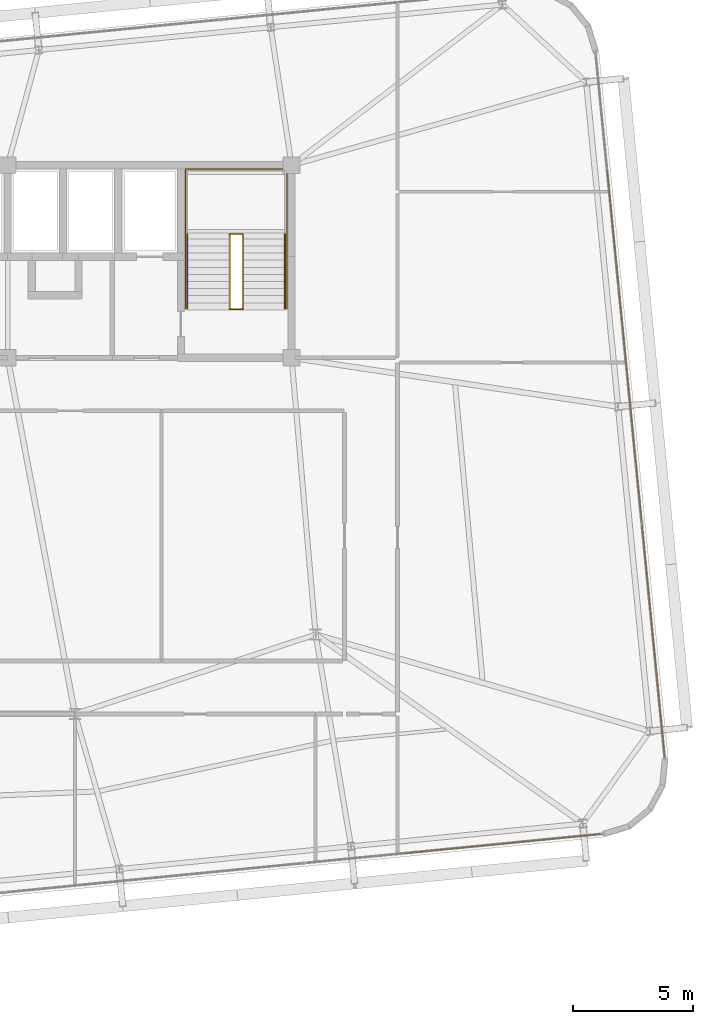
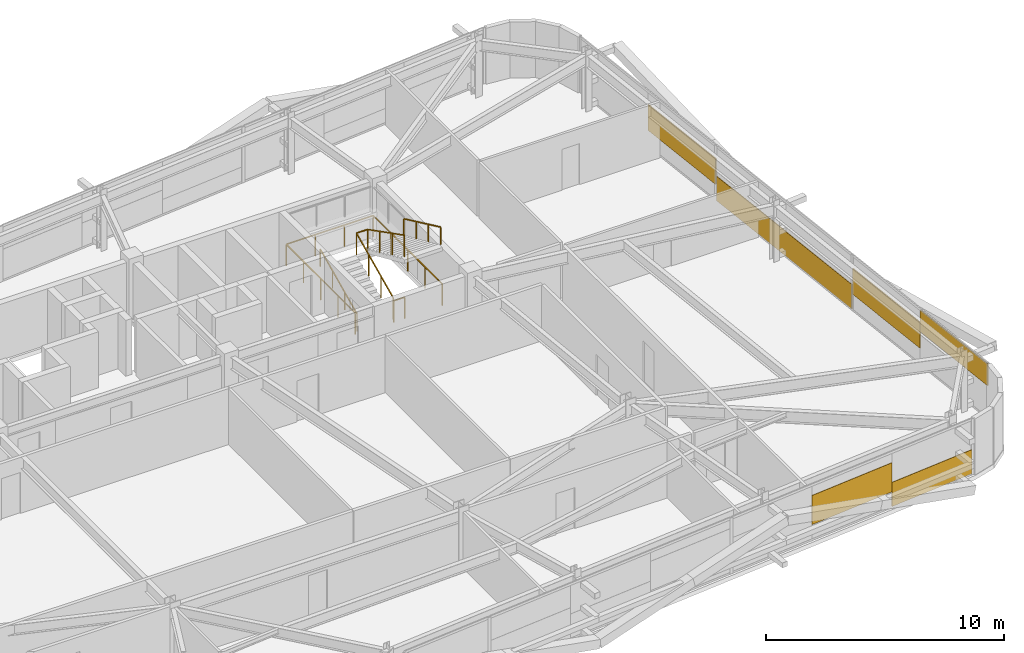
# One storey, part 46 of 47: 6 coverings, 5 railings.
"""IFC4 building model written with IfcOpenShell, lengths in metres."""

from ifc_helpers import new_model, si_unit, direction, frame, origin, origin_2d, place, context, subcontext, project, spatial, rectangle, extrude, source, transform, mapped, material, layer, layer_set, type_object, element, save


model = new_model("IFC4")

# Units and contexts
model_context = context("Model", 3, precision=1e-05, world=origin(), true_north=direction((0.0, 1.0)))
body_context = subcontext(model_context, "Body", "Model", "MODEL_VIEW")
ifc_project = project(units=[si_unit("LENGTHUNIT", "METRE"), si_unit("AREAUNIT", "SQUARE_METRE"), si_unit("VOLUMEUNIT", "CUBIC_METRE"), si_unit("PLANEANGLEUNIT", "RADIAN"), si_unit("MASSUNIT", "GRAM", prefix="KILO")], contexts=[model_context])

# Site, building, storey
site_placement = place(None, origin())
site = spatial("IfcSite", under=ifc_project, at=site_placement, CompositionType="ELEMENT")
building_placement = place(site_placement, origin())
building = spatial("IfcBuilding", under=site, at=building_placement, Name="Taldren Reach Tower", CompositionType="ELEMENT")
storey_placement = place(building_placement, frame((0.0, 0.0, 109.199951171875)))
storey = spatial("IfcBuildingStorey", under=building, at=storey_placement, Name="L33", CompositionType="ELEMENT", Elevation=109.199951171875)

# Railings
ifc_material_1 = material(Name="Steel Gr 350 (C350L0)", Category="steel")
ifc_layer_1 = layer(ifc_material_1, 0.050048828125)
ifc_layer_set_1 = layer_set([ifc_layer_1], Name="Steel Gr 350 (C350L0)")
railing_type_1 = type_object("IfcRailingType", Name="RL-STAIR-GR", PredefinedType="GUARDRAIL", material=ifc_layer_set_1)
railing_1_placement = place(storey_placement, frame((48.429931640625, 26.050048828125, 0.13134765625)))
element("IfcRailing", 1, at=railing_1_placement, inside=storey, type_object=railing_type_1, Name="Stairwell inner guard ST2-L33", PredefinedType="GUARDRAIL", context=body_context, shape_type="SweptSolid", body=[
    extrude(rectangle(XDim=0.047852, YDim=0.047852, at=origin_2d()), frame((0.0, 0.0, 1.09619140625), z_axis=(0.0, 0.905737652094, 0.423838773095), x_axis=(-1.0, 0.0, 0.0)), (0.0, 0.0, 1.0), 3.406005859375),
    extrude(rectangle(XDim=0.047852, YDim=0.047852, at=origin_2d()), frame((0.0, 3.0849609375, 2.53955078125), z_axis=(1.0, 0.0, 0.0), x_axis=(0.0, 1.0, 0.0)), (0.0, 0.0, 1.0), 0.5400390625),
    extrude(rectangle(XDim=0.047852, YDim=0.047852, at=origin_2d()), frame((0.5400390625, 3.0849609375, 2.53955078125), z_axis=(0.0, -0.890617412389, 0.454753366946), x_axis=(1.0, 0.0, 0.0)), (0.0, 0.0, 1.0), 3.4638671875),
    extrude(rectangle(XDim=0.041992, YDim=0.041992, at=origin_2d()), origin(), (0.0, 0.0, 1.0), 1.072021484375),
    extrude(rectangle(XDim=0.041992, YDim=0.041992, at=origin_2d()), frame((0.0, 1.0283203125, 0.481201171875)), (0.0, 0.0, 1.0), 1.072021484375),
    extrude(rectangle(XDim=0.041992, YDim=0.041992, at=origin_2d()), frame((0.0, 2.056640625, 0.96240234375)), (0.0, 0.0, 1.0), 1.072021484375),
    extrude(rectangle(XDim=0.041992, YDim=0.041992, at=origin_2d()), frame((0.0, 3.0849609375, 1.443603515625)), (0.0, 0.0, 1.0), 1.072021484375),
    extrude(rectangle(XDim=0.041992, YDim=0.041992, at=origin_2d()), frame((0.5400390625, 3.0849609375, 1.443603515625)), (0.0, 0.0, 1.0), 1.072021484375),
    extrude(rectangle(XDim=0.041992, YDim=0.041992, at=origin_2d()), frame((0.5400390625, 2.056640625, 1.96875)), (0.0, 0.0, 1.0), 1.072021484375),
    extrude(rectangle(XDim=0.041992, YDim=0.041992, at=origin_2d()), frame((0.5400390625, 1.0283203125, 2.49365234375)), (0.0, 0.0, 1.0), 1.072021484375),
    extrude(rectangle(XDim=0.041992, YDim=0.041992, at=origin_2d()), frame((0.5400390625, 0.0, 3.018798828125)), (0.0, 0.0, 1.0), 1.072021484375),
])
railing_2_placement = place(storey_placement, frame((48.429931640625, 26.010009765625, 0.0)))
element("IfcRailing", 2, at=railing_2_placement, inside=storey, type_object=railing_type_1, Name="Stairwell landing slot guard ST2-L33", PredefinedType="GUARDRAIL", context=body_context, shape_type="SweptSolid", body=[
    extrude(rectangle(XDim=0.047852, YDim=0.047852, at=origin_2d()), frame((0.0, 0.0, 1.09619140625), z_axis=(1.0, 0.0, 0.0), x_axis=(0.0, 1.0, 0.0)), (0.0, 0.0, 1.0), 0.5400390625),
    extrude(rectangle(XDim=0.041992, YDim=0.041992, at=origin_2d()), origin(), (0.0, 0.0, 1.0), 1.072021484375),
    extrude(rectangle(XDim=0.041992, YDim=0.041992, at=origin_2d()), frame((0.5400390625, 0.0, 0.0)), (0.0, 0.0, 1.0), 1.072021484375),
])
railing_3_placement = place(storey_placement, frame((46.590087890625, 26.050048828125, 0.0)))
element("IfcRailing", 3, at=railing_3_placement, inside=storey, type_object=railing_type_1, Name="Stairwell floor opening guard ST2-L33", PredefinedType="GUARDRAIL", context=body_context, shape_type="SweptSolid", body=[
    extrude(rectangle(XDim=0.047852, YDim=0.047852, at=origin_2d()), frame((0.0, 0.0, 1.09619140625), z_axis=(0.0, 1.0, 0.0), x_axis=(-1.0, 0.0, 0.0)), (0.0, 0.0, 1.0), 5.800048828125),
    extrude(rectangle(XDim=0.047852, YDim=0.047852, at=origin_2d()), frame((0.0, 5.800048828125, 1.09619140625), z_axis=(1.0, 0.0, 0.0), x_axis=(0.0, 1.0, 0.0)), (0.0, 0.0, 1.0), 4.219970703125),
    extrude(rectangle(XDim=0.047852, YDim=0.047852, at=origin_2d()), frame((4.219970703125, 5.800048828125, 1.09619140625), z_axis=(0.0, -1.0, 0.0), x_axis=(1.0, 0.0, 0.0)), (0.0, 0.0, 1.0), 5.800048828125),
    extrude(rectangle(XDim=0.041992, YDim=0.041992, at=origin_2d()), origin(), (0.0, 0.0, 1.0), 1.072021484375),
    extrude(rectangle(XDim=0.041992, YDim=0.041992, at=origin_2d()), frame((0.0, 1.449951171875, 0.0)), (0.0, 0.0, 1.0), 1.072021484375),
    extrude(rectangle(XDim=0.041992, YDim=0.041992, at=origin_2d()), frame((0.0, 2.89990234375, 0.0)), (0.0, 0.0, 1.0), 1.072021484375),
    extrude(rectangle(XDim=0.041992, YDim=0.041992, at=origin_2d()), frame((0.0, 4.35009765625, 0.0)), (0.0, 0.0, 1.0), 1.072021484375),
    extrude(rectangle(XDim=0.041992, YDim=0.041992, at=origin_2d()), frame((0.0, 5.800048828125, 0.0)), (0.0, 0.0, 1.0), 1.072021484375),
    extrude(rectangle(XDim=0.041992, YDim=0.041992, at=origin_2d()), frame((1.40673828125, 5.800048828125, 0.0)), (0.0, 0.0, 1.0), 1.072021484375),
    extrude(rectangle(XDim=0.041992, YDim=0.041992, at=origin_2d()), frame((2.813232421875, 5.800048828125, 0.0)), (0.0, 0.0, 1.0), 1.072021484375),
    extrude(rectangle(XDim=0.041992, YDim=0.041992, at=origin_2d()), frame((4.219970703125, 5.800048828125, 0.0)), (0.0, 0.0, 1.0), 1.072021484375),
    extrude(rectangle(XDim=0.041992, YDim=0.041992, at=origin_2d()), frame((4.219970703125, 4.35009765625, 0.0)), (0.0, 0.0, 1.0), 1.072021484375),
    extrude(rectangle(XDim=0.041992, YDim=0.041992, at=origin_2d()), frame((4.219970703125, 2.89990234375, 0.0)), (0.0, 0.0, 1.0), 1.072021484375),
    extrude(rectangle(XDim=0.041992, YDim=0.041992, at=origin_2d()), frame((4.219970703125, 1.449951171875, 0.0)), (0.0, 0.0, 1.0), 1.072021484375),
    extrude(rectangle(XDim=0.041992, YDim=0.041992, at=origin_2d()), frame((4.219970703125, 0.0, 0.0)), (0.0, 0.0, 1.0), 1.072021484375),
])
ifc_material_2 = material(Name="Stainless Steel Gr 316", Category="steel")
ifc_layer_2 = layer(ifc_material_2, 0.048095703125)
ifc_layer_set_2 = layer_set([ifc_layer_2], Name="Stainless Steel Gr 316")
railing_type_2 = type_object("IfcRailingType", Name="RL-STAIR-HR", PredefinedType="HANDRAIL", material=ifc_layer_set_2)
railing_4_placement = place(storey_placement, frame((46.669921875, 26.050048828125, 0.13134765625)))
element("IfcRailing", 4, at=railing_4_placement, inside=storey, type_object=railing_type_2, Name="Stair flight handrail ST2-L33-1", PredefinedType="HANDRAIL", context=body_context, shape_type="SweptSolid", body=[
    extrude(rectangle(XDim=0.047852, YDim=0.047852, at=origin_2d()), frame((0.0, 0.0, 0.89599609375), z_axis=(0.0, 0.905737652094, 0.423838773095), x_axis=(-1.0, 0.0, 0.0)), (0.0, 0.0, 1.0), 3.406005859375),
    extrude(rectangle(XDim=0.041992, YDim=0.041992, at=origin_2d()), origin(), (0.0, 0.0, 1.0), 0.871826171875),
    extrude(rectangle(XDim=0.041992, YDim=0.041992, at=origin_2d()), frame((0.0, 1.0283203125, 0.481201171875)), (0.0, 0.0, 1.0), 0.871826171875),
    extrude(rectangle(XDim=0.041992, YDim=0.041992, at=origin_2d()), frame((0.0, 2.056640625, 0.96240234375)), (0.0, 0.0, 1.0), 0.871826171875),
    extrude(rectangle(XDim=0.041992, YDim=0.041992, at=origin_2d()), frame((0.0, 3.0849609375, 1.443603515625)), (0.0, 0.0, 1.0), 0.871826171875),
])
railing_5_placement = place(storey_placement, frame((50.72998046875, 29.135009765625, 1.706298828125)))
element("IfcRailing", 5, at=railing_5_placement, inside=storey, type_object=railing_type_2, Name="Stair flight handrail ST2-L33-2", PredefinedType="HANDRAIL", context=body_context, shape_type="SweptSolid", body=[
    extrude(rectangle(XDim=0.047852, YDim=0.047852, at=origin_2d()), frame((0.0, 0.0, 0.89599609375), z_axis=(0.0, -0.905710134349, 0.423897573167), x_axis=(1.0, 0.0, 0.0)), (0.0, 0.0, 1.0), 3.406005859375),
    extrude(rectangle(XDim=0.041992, YDim=0.041992, at=origin_2d()), origin(), (0.0, 0.0, 1.0), 0.871826171875),
    extrude(rectangle(XDim=0.041992, YDim=0.041992, at=origin_2d()), frame((0.0, -1.0283203125, 0.481201171875)), (0.0, 0.0, 1.0), 0.871826171875),
    extrude(rectangle(XDim=0.041992, YDim=0.041992, at=origin_2d()), frame((0.0, -2.056640625, 0.962646484375)), (0.0, 0.0, 1.0), 0.871826171875),
    extrude(rectangle(XDim=0.041992, YDim=0.041992, at=origin_2d()), frame((0.0, -3.0849609375, 1.44384765625)), (0.0, 0.0, 1.0), 0.871826171875),
])

# Coverings
ifc_material_3 = material(Name="Pale Champagne Fluoropolymer Aluminium Spandrel Cladding", Category="aluminium")
ifc_layer_3 = layer(ifc_material_3, 0.0439453125)
ifc_layer_set_3 = layer_set([ifc_layer_3], Name="Pale Champagne Fluoropolymer Aluminium Spandrel Cladding")
covering_type = type_object("IfcCoveringType", Name="CV-CLAD-044", PredefinedType="CLADDING", material=ifc_layer_set_3)
shared_shape_1 = source(origin(), body_context, "Body", "SweptSolid", [
    extrude(rectangle(XDim=4.13427734375, YDim=0.0439453125, at=origin_2d()), origin(), (0.0, 0.0, 1.0), 1.495849609375),
])
covering_1_placement = place(storey_placement, frame((57.712890625, 3.60205078125, 0.810546875), z_axis=(0.0, 0.0, 1.0), x_axis=(0.995227390247, 0.097582999046, 0.0)))
element("IfcCovering", 6, at=covering_1_placement, inside=storey, type_object=covering_type, Name="Diagrid closure cladding strip CW-3 panel 4.1 2", PredefinedType="CLADDING", context=body_context, shape_type="MappedRepresentation", body=[
    mapped(shared_shape_1, transform((0.0, 0.0, 0.0), scale=1.0)),
])
shared_shape_2 = source(origin(), body_context, "Body", "SweptSolid", [
    extrude(rectangle(XDim=4.13427734375, YDim=0.0439453125, at=origin_2d()), origin(), (0.0, 0.0, 1.0), 1.239013671875),
])
covering_2_placement = place(storey_placement, frame((61.8271484375, 4.005615234375, 0.05517578125), z_axis=(0.0, 0.0, 1.0), x_axis=(0.995227390247, 0.097582999046, 0.0)))
element("IfcCovering", 7, at=covering_2_placement, inside=storey, type_object=covering_type, Name="Diagrid closure cladding strip CW-3 panel 4.1 3", PredefinedType="CLADDING", context=body_context, shape_type="MappedRepresentation", body=[
    mapped(shared_shape_2, transform((0.0, 0.0, 0.0), scale=1.0)),
])
shared_shape_3 = source(origin(), body_context, "Body", "SweptSolid", [
    extrude(rectangle(XDim=4.867919921875, YDim=0.0439453125, at=origin_2d()), origin(), (0.0, 0.0, 1.0), 1.116455078125),
])
covering_3_placement = place(storey_placement, frame((66.2724609375, 9.826171875, 1.69873046875), z_axis=(0.0, 0.0, 1.0), x_axis=(-0.09758274098, 0.99522741555, 0.0)))
element("IfcCovering", 8, at=covering_3_placement, inside=storey, type_object=covering_type, Name="Diagrid closure cladding strip CW-3 panel 1.1 1", PredefinedType="CLADDING", context=body_context, shape_type="MappedRepresentation", body=[
    mapped(shared_shape_3, transform((0.0, 0.0, 0.0), scale=1.0)),
])
shared_shape_4 = source(origin(), body_context, "Body", "SweptSolid", [
    extrude(rectangle(XDim=4.867919921875, YDim=0.0439453125, at=origin_2d()), origin(), (0.0, 0.0, 1.0), 1.328369140625),
])
for number, where, z_axis, x_axis, name in (
    (9, (65.797607421875, 14.670654296875, 0.84716796875), (0.0, 0.0, 1.0), (-0.09758274098, 0.99522741555, 0.0), "Diagrid closure cladding strip CW-3 panel 1.1 2"),
    (10, (64.356689453125, 29.366455078125, 0.84716796875), (0.0, 0.0, 1.0), (-0.09758274098, 0.99522741555, 0.0), "Diagrid closure cladding strip CW-3 panel 3.1 1"),
):
    element("IfcCovering", number, at=place(storey_placement, frame(where, z_axis=z_axis, x_axis=x_axis)), inside=storey, type_object=covering_type, Name=name, PredefinedType="CLADDING", context=body_context, shape_type="MappedRepresentation", body=[
        mapped(shared_shape_4, transform((0.0, 0.0, 0.0), scale=1.0)),
    ])
shared_shape_5 = source(origin(), body_context, "Body", "SweptSolid", [
    extrude(rectangle(XDim=9.768310546875, YDim=0.0439453125, at=origin_2d()), origin(), (0.0, 0.0, 1.0), 1.2578125),
])
covering_4_placement = place(storey_placement, frame((65.0771484375, 22.0185546875, 0.054931640625), z_axis=(0.0, 0.0, 1.0), x_axis=(-0.09758274098, 0.99522741555, 0.0)))
element("IfcCovering", 11, at=covering_4_placement, inside=storey, type_object=covering_type, Name="Diagrid closure cladding strip CW-3 panel 2.1 1", PredefinedType="CLADDING", context=body_context, shape_type="MappedRepresentation", body=[
    mapped(shared_shape_5, transform((0.0, 0.0, 0.0), scale=1.0)),
])

save(model, "model.ifc")
